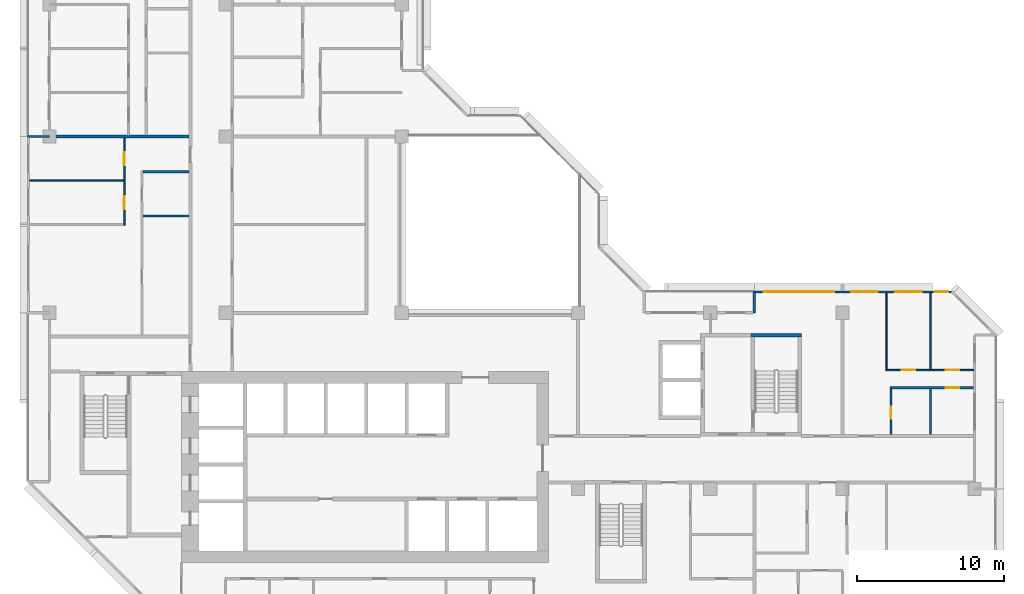
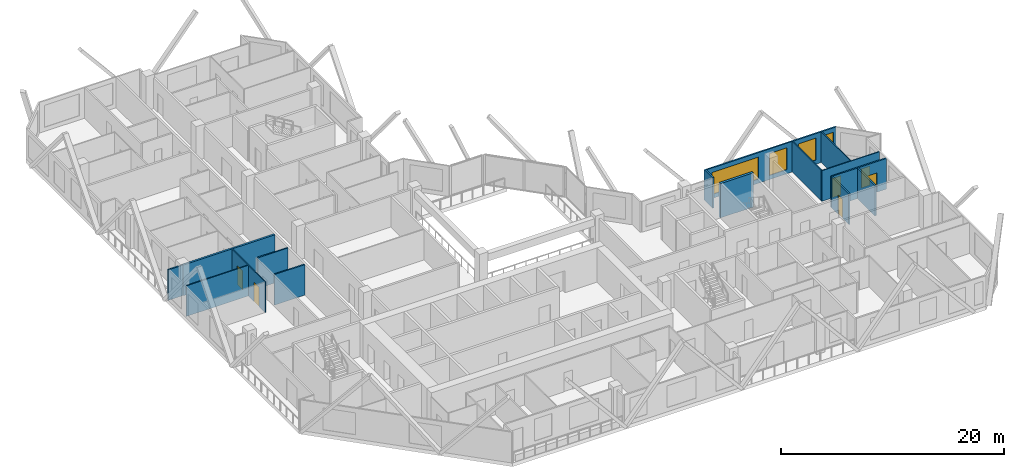
# One storey, part 8 of 14: 15 walls, 6 doors, 4 windows, 10 openings.
"""IFC4 building model written with IfcOpenShell, lengths in metres."""

from ifc_helpers import new_model, si_unit, direction, frame, frame_2d, origin, place, context, subcontext, project, spatial, rectangle, extrude, material, layer, layer_set, type_object, element, fill, save


model = new_model("IFC4")

# Units and contexts
model_context = context("Model", 3, precision=1e-05, world=origin(), true_north=direction((0.0, 1.0)))
body_context = subcontext(model_context, "Body", "Model", "MODEL_VIEW")
ifc_project = project(units=[si_unit("LENGTHUNIT", "METRE"), si_unit("AREAUNIT", "SQUARE_METRE"), si_unit("VOLUMEUNIT", "CUBIC_METRE"), si_unit("PLANEANGLEUNIT", "RADIAN"), si_unit("MASSUNIT", "GRAM", prefix="KILO")], contexts=[model_context])

# Site, building, storey
site_placement = place(None, origin())
site = spatial("IfcSite", under=ifc_project, at=site_placement, CompositionType="ELEMENT")
building_placement = place(site_placement, origin())
building = spatial("IfcBuilding", under=site, at=building_placement, Name="Chenar Terraces", CompositionType="ELEMENT")
storey_placement = place(building_placement, frame((0.0, 0.0, 164.89990234375)))
storey = spatial("IfcBuildingStorey", under=building, at=storey_placement, Name="L37", CompositionType="ELEMENT", Elevation=164.89990234375)

# Wall
ifc_material_1 = material(Name="Concrete C60/75", Category="concrete")
ifc_layer_1 = layer(ifc_material_1, 0.25)
ifc_layer_set_1 = layer_set([ifc_layer_1], Name="Concrete C60/75")
wall_type_1 = type_object("IfcWallType", Name="Core wall 250 Concrete C60/75", PredefinedType="SHEAR", material=ifc_layer_set_1)
wall_1_placement = place(storey_placement, frame((47.77490234375, 22.47509765625, 0.0), z_axis=(0.0, 0.0, 1.0), x_axis=(1.0, 0.0, 0.0)))
element("IfcWall", 1, at=wall_1_placement, inside=storey, type_object=wall_type_1, Name="Core wall ST3_N L37", PredefinedType="SHEAR", context=body_context, shape_type="SweptSolid", body=[
    extrude(rectangle(XDim=3.4501953125, YDim=0.25, at=frame_2d((1.72509765625, 0.0))), origin(), (0.0, 0.0, 1.0), 3.75),
])

# Wall, openings, windows
ifc_material_2 = material(Name="Aluminium framed glazing", Category="aluminium")
ifc_layer_2 = layer(ifc_material_2, 0.14990234375)
ifc_layer_set_2 = layer_set([ifc_layer_2], Name="Aluminium framed glazing")
wall_type_2 = type_object("IfcWallType", Name="Glazed flush facade wall 150", PredefinedType="SOLIDWALL", material=ifc_layer_set_2)
wall_2_placement = place(storey_placement, frame((61.5, 25.425048828125, 0.0), z_axis=(0.0, 0.0, 1.0), x_axis=(-1.0, 0.0, 0.0)))
wall_2 = element("IfcWall", 2, at=wall_2_placement, inside=storey, type_object=wall_type_2, Name="Glazed flush facade wall", PredefinedType="SOLIDWALL", context=body_context, shape_type="SweptSolid", body=[
    extrude(rectangle(XDim=13.425048828125, YDim=0.14990234375, at=frame_2d((6.71240234375, 0.0))), origin(), (0.0, 0.0, 1.0), 3.35009765625),
])
opening_1_placement = place(wall_2_placement, frame((0.300048828125, 0.0, 0.449951171875)))
opening_1 = element("IfcOpeningElement", 3, at=opening_1_placement, cuts=wall_2, Name="Opening W90x240", PredefinedType="OPENING", context=body_context, shape_type="SweptSolid", body=[
    extrude(rectangle(XDim=0.89990234375, YDim=2.39990234375, at=frame_2d((0.449951171875, 1.199951171875))), frame((0.0, 0.0849609375, 0.0), z_axis=(0.0, -1.0, 0.0), x_axis=(1.0, 0.0, 0.0)), (0.0, 0.0, 1.0), 0.169921875),
])
opening_2_placement = place(wall_2_placement, frame((2.10009765625, 0.0, 0.449951171875)))
opening_2 = element("IfcOpeningElement", 4, at=opening_2_placement, cuts=wall_2, Name="Opening W180x240", PredefinedType="OPENING", context=body_context, shape_type="SweptSolid", body=[
    extrude(rectangle(XDim=1.800048828125, YDim=2.39990234375, at=frame_2d((0.89990234375, 1.199951171875))), frame((0.0, 0.0849609375, 0.0), z_axis=(0.0, -1.0, 0.0), x_axis=(1.0, 0.0, 0.0)), (0.0, 0.0, 1.0), 0.169921875),
])
opening_3_placement = place(wall_2_placement, frame((5.10009765625, 0.0, 0.449951171875)))
opening_3 = element("IfcOpeningElement", 5, at=opening_3_placement, cuts=wall_2, Name="Opening W180x240", PredefinedType="OPENING", context=body_context, shape_type="SweptSolid", body=[
    extrude(rectangle(XDim=1.800048828125, YDim=2.39990234375, at=frame_2d((0.89990234375, 1.199951171875))), frame((0.0, 0.0849609375, 0.0), z_axis=(0.0, -1.0, 0.0), x_axis=(1.0, 0.0, 0.0)), (0.0, 0.0, 1.0), 0.169921875),
])
opening_4_placement = place(wall_2_placement, frame((8.0625, 0.0, 0.449951171875)))
opening_4 = element("IfcOpeningElement", 6, at=opening_4_placement, cuts=wall_2, Name="Opening W480x240", PredefinedType="OPENING", context=body_context, shape_type="SweptSolid", body=[
    extrude(rectangle(XDim=4.800048828125, YDim=2.39990234375, at=frame_2d((2.39990234375, 1.199951171875))), frame((0.0, 0.0849609375, 0.0), z_axis=(0.0, -1.0, 0.0), x_axis=(1.0, 0.0, 0.0)), (0.0, 0.0, 1.0), 0.169921875),
])
ifc_material_3 = material(Name="Low emissivity double glazing, aluminium frame", Category="aluminium")
window_type_1 = type_object("IfcWindowType", Name="Fixed light 1800 x 2400", PartitioningType="SINGLE_PANEL", PredefinedType="WINDOW", material=ifc_material_3)
window_1_placement = place(opening_2_placement, origin())
window_1 = element("IfcWindow", 7, at=window_1_placement, inside=storey, type_object=window_type_1, Name="Window", OverallHeight=2.39990234375, OverallWidth=1.800048828125, PartitioningType="SINGLE_PANEL", PredefinedType="WINDOW", context=body_context, shape_type="SweptSolid", body=[
    extrude(rectangle(XDim=1.800048828125, YDim=2.39990234375, at=frame_2d((0.89990234375, 1.199951171875))), frame((0.0, 0.030029296875, 0.0), z_axis=(0.0, -1.0, 0.0), x_axis=(1.0, 0.0, 0.0)), (0.0, 0.0, 1.0), 0.06005859375),
])
fill(opening_2, window_1)
window_2_placement = place(opening_3_placement, origin())
window_2 = element("IfcWindow", 8, at=window_2_placement, inside=storey, type_object=window_type_1, Name="Window", OverallHeight=2.39990234375, OverallWidth=1.800048828125, PartitioningType="SINGLE_PANEL", PredefinedType="WINDOW", context=body_context, shape_type="SweptSolid", body=[
    extrude(rectangle(XDim=1.800048828125, YDim=2.39990234375, at=frame_2d((0.89990234375, 1.199951171875))), frame((0.0, 0.030029296875, 0.0), z_axis=(0.0, -1.0, 0.0), x_axis=(1.0, 0.0, 0.0)), (0.0, 0.0, 1.0), 0.06005859375),
])
fill(opening_3, window_2)
ifc_material_4 = material(Name="Low emissivity double glazing, aluminium frame", Category="aluminium")
window_type_2 = type_object("IfcWindowType", Name="Fixed light 4800 x 2400", PartitioningType="SINGLE_PANEL", PredefinedType="WINDOW", material=ifc_material_4)
window_3_placement = place(opening_4_placement, origin())
window_3 = element("IfcWindow", 9, at=window_3_placement, inside=storey, type_object=window_type_2, Name="Window", OverallHeight=2.39990234375, OverallWidth=4.800048828125, PartitioningType="SINGLE_PANEL", PredefinedType="WINDOW", context=body_context, shape_type="SweptSolid", body=[
    extrude(rectangle(XDim=4.800048828125, YDim=2.39990234375, at=frame_2d((2.39990234375, 1.199951171875))), frame((0.0, 0.030029296875, 0.0), z_axis=(0.0, -1.0, 0.0), x_axis=(1.0, 0.0, 0.0)), (0.0, 0.0, 1.0), 0.06005859375),
])
fill(opening_4, window_3)
ifc_material_5 = material(Name="Low emissivity double glazing, aluminium frame", Category="aluminium")
window_type_3 = type_object("IfcWindowType", Name="Fixed light 900 x 2400", PartitioningType="SINGLE_PANEL", PredefinedType="WINDOW", material=ifc_material_5)
window_4_placement = place(opening_1_placement, origin())
window_4 = element("IfcWindow", 10, at=window_4_placement, inside=storey, type_object=window_type_3, Name="Window", OverallHeight=2.39990234375, OverallWidth=0.89990234375, PartitioningType="SINGLE_PANEL", PredefinedType="WINDOW", context=body_context, shape_type="SweptSolid", body=[
    extrude(rectangle(XDim=0.89990234375, YDim=2.39990234375, at=frame_2d((0.449951171875, 1.199951171875))), frame((0.0, 0.030029296875, 0.0), z_axis=(0.0, -1.0, 0.0), x_axis=(1.0, 0.0, 0.0)), (0.0, 0.0, 1.0), 0.06005859375),
])
fill(opening_1, window_4)

# Wall
ifc_material_6 = material(Name="Gypsum board on steel studs", Category="steel")
ifc_layer_3 = layer(ifc_material_6, 0.10009765625)
ifc_layer_set_3 = layer_set([ifc_layer_3], Name="Gypsum board on steel studs")
wall_type_3 = type_object("IfcWallType", Name="Gypsum partition 100", PredefinedType="PARTITIONING", material=ifc_layer_set_3)
wall_3_placement = place(storey_placement, frame((-1.35107421875, 33.0, 0.0), z_axis=(0.0, 0.0, 1.0), x_axis=(1.0, 0.0, 0.0)))
element("IfcWall", 11, at=wall_3_placement, inside=storey, type_object=wall_type_3, Name="Partition L37-001", PredefinedType="PARTITIONING", context=body_context, shape_type="SweptSolid", body=[
    extrude(rectangle(XDim=6.401123046875, YDim=0.10009765625, at=frame_2d((3.20068359375, 0.0))), origin(), (0.0, 0.0, 1.0), 3.35009765625),
])

# Wall, openings, doors
wall_4_placement = place(storey_placement, frame((5.10009765625, 29.949951171875, 0.0), z_axis=(0.0, 0.0, 1.0), x_axis=(0.0, 1.0, 0.0)))
wall_4 = element("IfcWall", 12, at=wall_4_placement, inside=storey, type_object=wall_type_3, Name="Partition L37-013", PredefinedType="PARTITIONING", context=body_context, shape_type="SweptSolid", body=[
    extrude(rectangle(XDim=5.949951171875, YDim=0.10009765625, at=frame_2d((2.97509765625, 0.0))), origin(), (0.0, 0.0, 1.0), 3.35009765625),
])
opening_5_placement = place(wall_4_placement, frame((1.10009765625, 0.0, 0.0)))
opening_5 = element("IfcOpeningElement", 13, at=opening_5_placement, cuts=wall_4, Name="Opening DL37-59", PredefinedType="OPENING", context=body_context, shape_type="SweptSolid", body=[
    extrude(rectangle(XDim=0.89990234375, YDim=2.10009765625, at=frame_2d((0.449951171875, 1.050048828125))), frame((0.0, 0.06005859375, 0.0), z_axis=(0.0, -1.0, 0.0), x_axis=(1.0, 0.0, 0.0)), (0.0, 0.0, 1.0), 0.1201171875),
])
opening_6_placement = place(wall_4_placement, frame((4.10009765625, 0.0, 0.0)))
opening_6 = element("IfcOpeningElement", 14, at=opening_6_placement, cuts=wall_4, Name="Opening DL37-60", PredefinedType="OPENING", context=body_context, shape_type="SweptSolid", body=[
    extrude(rectangle(XDim=0.89990234375, YDim=2.10009765625, at=frame_2d((0.449951171875, 1.050048828125))), frame((0.0, 0.06005859375, 0.0), z_axis=(0.0, -1.0, 0.0), x_axis=(1.0, 0.0, 0.0)), (0.0, 0.0, 1.0), 0.1201171875),
])
ifc_material_7 = material(Name="Veneered timber door leaf", Category="wood")
door_type_1 = type_object("IfcDoorType", Name="Door 900 x 2100", OperationType="SINGLE_SWING_LEFT", PredefinedType="DOOR", material=ifc_material_7)
door_1_placement = place(opening_5_placement, origin())
door_1 = element("IfcDoor", 15, at=door_1_placement, inside=storey, type_object=door_type_1, Name="Door DL37-59", OperationType="SINGLE_SWING_LEFT", OverallHeight=2.10009765625, OverallWidth=0.89990234375, PredefinedType="DOOR", context=body_context, shape_type="SweptSolid", body=[
    extrude(rectangle(XDim=0.89990234375, YDim=2.10009765625, at=frame_2d((0.449951171875, 1.050048828125))), frame((0.0, 0.02490234375, 0.0), z_axis=(0.0, -1.0, 0.0), x_axis=(1.0, 0.0, 0.0)), (0.0, 0.0, 1.0), 0.050048828125),
])
fill(opening_5, door_1)
door_2_placement = place(opening_6_placement, origin())
door_2 = element("IfcDoor", 16, at=door_2_placement, inside=storey, type_object=door_type_1, Name="Door DL37-60", OperationType="SINGLE_SWING_RIGHT", OverallHeight=2.10009765625, OverallWidth=0.89990234375, PredefinedType="DOOR", context=body_context, shape_type="SweptSolid", body=[
    extrude(rectangle(XDim=0.89990234375, YDim=2.10009765625, at=frame_2d((0.449951171875, 1.050048828125))), frame((0.0, 0.02490234375, 0.0), z_axis=(0.0, -1.0, 0.0), x_axis=(1.0, 0.0, 0.0)), (0.0, 0.0, 1.0), 0.050048828125),
])
fill(opening_6, door_2)

wall_5_placement = place(storey_placement, frame((56.949951171875, 20.10009765625, 0.0), z_axis=(0.0, 0.0, 1.0), x_axis=(1.0, 0.0, 0.0)))
wall_5 = element("IfcWall", 17, at=wall_5_placement, inside=storey, type_object=wall_type_3, Name="Partition L37-080", PredefinedType="PARTITIONING", context=body_context, shape_type="SweptSolid", body=[
    extrude(rectangle(XDim=5.97607421875, YDim=0.10009765625, at=frame_2d((2.988037109375, 0.0))), origin(), (0.0, 0.0, 1.0), 3.35009765625),
])
opening_7_placement = place(wall_5_placement, frame((1.10009765625, 0.0, 0.0)))
opening_7 = element("IfcOpeningElement", 18, at=opening_7_placement, cuts=wall_5, Name="Opening DL37-5", PredefinedType="OPENING", context=body_context, shape_type="SweptSolid", body=[
    extrude(rectangle(XDim=0.89990234375, YDim=2.10009765625, at=frame_2d((0.449951171875, 1.050048828125))), frame((0.0, 0.06005859375, 0.0), z_axis=(0.0, -1.0, 0.0), x_axis=(1.0, 0.0, 0.0)), (0.0, 0.0, 1.0), 0.1201171875),
])
opening_8_placement = place(wall_5_placement, frame((4.10009765625, 0.0, 0.0)))
opening_8 = element("IfcOpeningElement", 19, at=opening_8_placement, cuts=wall_5, Name="Opening DL37-6", PredefinedType="OPENING", context=body_context, shape_type="SweptSolid", body=[
    extrude(rectangle(XDim=0.89990234375, YDim=2.10009765625, at=frame_2d((0.449951171875, 1.050048828125))), frame((0.0, 0.06005859375, 0.0), z_axis=(0.0, -1.0, 0.0), x_axis=(1.0, 0.0, 0.0)), (0.0, 0.0, 1.0), 0.1201171875),
])
door_3_placement = place(opening_7_placement, origin())
door_3 = element("IfcDoor", 20, at=door_3_placement, inside=storey, type_object=door_type_1, Name="Door DL37-5", OperationType="SINGLE_SWING_LEFT", OverallHeight=2.10009765625, OverallWidth=0.89990234375, PredefinedType="DOOR", context=body_context, shape_type="SweptSolid", body=[
    extrude(rectangle(XDim=0.89990234375, YDim=2.10009765625, at=frame_2d((0.449951171875, 1.050048828125))), frame((0.0, 0.02490234375, 0.0), z_axis=(0.0, -1.0, 0.0), x_axis=(1.0, 0.0, 0.0)), (0.0, 0.0, 1.0), 0.050048828125),
])
fill(opening_7, door_3)
door_4_placement = place(opening_8_placement, origin())
door_4 = element("IfcDoor", 21, at=door_4_placement, inside=storey, type_object=door_type_1, Name="Door DL37-6", OperationType="SINGLE_SWING_LEFT", OverallHeight=2.10009765625, OverallWidth=0.89990234375, PredefinedType="DOOR", context=body_context, shape_type="SweptSolid", body=[
    extrude(rectangle(XDim=0.89990234375, YDim=2.10009765625, at=frame_2d((0.449951171875, 1.050048828125))), frame((0.0, 0.02490234375, 0.0), z_axis=(0.0, -1.0, 0.0), x_axis=(1.0, 0.0, 0.0)), (0.0, 0.0, 1.0), 0.050048828125),
])
fill(opening_8, door_4)

# Walls
wall_6_placement = place(storey_placement, frame((57.0, 20.14990234375, 0.0), z_axis=(0.0, 0.0, 1.0), x_axis=(0.0, 1.0, 0.0)))
element("IfcWall", 22, at=wall_6_placement, inside=storey, type_object=wall_type_3, Name="Partition L37-083", PredefinedType="PARTITIONING", context=body_context, shape_type="SweptSolid", body=[
    extrude(rectangle(XDim=5.2001953125, YDim=0.10009765625, at=frame_2d((2.60009765625, 0.0))), origin(), (0.0, 0.0, 1.0), 3.35009765625),
])
wall_7_placement = place(storey_placement, frame((60.0, 20.14990234375, 0.0), z_axis=(0.0, 0.0, 1.0), x_axis=(0.0, 1.0, 0.0)))
element("IfcWall", 23, at=wall_7_placement, inside=storey, type_object=wall_type_3, Name="Partition L37-089", PredefinedType="PARTITIONING", context=body_context, shape_type="SweptSolid", body=[
    extrude(rectangle(XDim=5.201171875, YDim=0.10009765625, at=frame_2d((2.6005859375, 0.0))), origin(), (0.0, 0.0, 1.0), 3.35009765625),
])
ifc_material_8 = material(Name="Terracotta cladding on insulated backing", Category="masonry")
ifc_layer_4 = layer(ifc_material_8, 0.14990234375)
ifc_layer_set_4 = layer_set([ifc_layer_4], Name="Terracotta cladding on insulated backing")
wall_type_4 = type_object("IfcWallType", Name="Loggia return wall 150", PredefinedType="SOLIDWALL", material=ifc_layer_set_4)
for number, where, z_axis, x_axis, name in (
    (24, (48.0, 25.5, 0.0), (0.0, 0.0, 1.0), (0.0, -1.0, 0.0), "Loggia return wall"),
    (25, (-1.5, 36.0, 0.0), (0.0, 0.0, 1.0), (1.0, 0.0, 0.0), "Loggia return wall"),
):
    element("IfcWall", number, at=place(storey_placement, frame(where, z_axis=z_axis, x_axis=x_axis)), inside=storey, type_object=wall_type_4, Name=name, PredefinedType="SOLIDWALL", context=body_context, shape_type="SweptSolid", body=[
        extrude(rectangle(XDim=1.5, YDim=0.14990234375, at=frame_2d((0.75, 0.0))), origin(), (0.0, 0.0, 1.0), 3.35009765625),
    ])
ifc_material_9 = material(Name="Twin gypsum board on steel studs with mineral wool", Category="steel")
ifc_layer_5 = layer(ifc_material_9, 0.199951171875)
ifc_layer_set_5 = layer_set([ifc_layer_5], Name="Twin gypsum board on steel studs with mineral wool")
wall_type_5 = type_object("IfcWallType", Name="Unit demising wall 200", PredefinedType="PARTITIONING", material=ifc_layer_set_5)
wall_8_placement = place(storey_placement, frame((0.0, 36.0, 0.0), z_axis=(0.0, 0.0, 1.0), x_axis=(1.0, 0.0, 0.0)))
element("IfcWall", 26, at=wall_8_placement, inside=storey, type_object=wall_type_5, Name="Partition L37-004", PredefinedType="PARTITIONING", context=body_context, shape_type="SweptSolid", body=[
    extrude(rectangle(XDim=9.5, YDim=0.199951171875, at=frame_2d((4.75, 0.0))), origin(), (0.0, 0.0, 1.0), 3.35009765625),
])
ifc_material_10 = material(Name="Moisture-resistant gypsum board on steel studs", Category="steel")
ifc_layer_6 = layer(ifc_material_10, 0.14990234375)
ifc_layer_set_6 = layer_set([ifc_layer_6], Name="Moisture-resistant gypsum board on steel studs")
wall_type_6 = type_object("IfcWallType", Name="Wet-room partition 150", PredefinedType="PARTITIONING", material=ifc_layer_set_6)
for number, where, z_axis, x_axis, name in (
    (27, (6.375, 30.60009765625, 0.0), (0.0, 0.0, 1.0), (1.0, 0.0, 0.0), "Partition L37-018"),
    (28, (6.375, 33.60009765625, 0.0), (0.0, 0.0, 1.0), (1.0, 0.0, 0.0), "Partition L37-019"),
):
    element("IfcWall", number, at=place(storey_placement, frame(where, z_axis=z_axis, x_axis=x_axis)), inside=storey, type_object=wall_type_6, Name=name, PredefinedType="PARTITIONING", context=body_context, shape_type="SweptSolid", body=[
        extrude(rectangle(XDim=3.125, YDim=0.14990234375, at=frame_2d((1.5625, 0.0))), origin(), (0.0, 0.0, 1.0), 3.35009765625),
    ])

# Wall, opening, door
wall_9_placement = place(storey_placement, frame((57.22509765625, 18.89990234375, 0.0), z_axis=(0.0, 0.0, 1.0), x_axis=(1.0, 0.0, 0.0)))
wall_9 = element("IfcWall", 29, at=wall_9_placement, inside=storey, type_object=wall_type_6, Name="Partition L37-085", PredefinedType="PARTITIONING", context=body_context, shape_type="SweptSolid", body=[
    extrude(rectangle(XDim=5.700927734375, YDim=0.14990234375, at=frame_2d((2.8505859375, 0.0))), origin(), (0.0, 0.0, 1.0), 3.35009765625),
])
opening_9_placement = place(wall_9_placement, frame((3.824951171875, 0.0, 0.0)))
opening_9 = element("IfcOpeningElement", 30, at=opening_9_placement, cuts=wall_9, Name="Opening DL37-7", PredefinedType="OPENING", context=body_context, shape_type="SweptSolid", body=[
    extrude(rectangle(XDim=0.89990234375, YDim=2.10009765625, at=frame_2d((0.449951171875, 1.050048828125))), frame((0.0, 0.0849609375, 0.0), z_axis=(0.0, -1.0, 0.0), x_axis=(1.0, 0.0, 0.0)), (0.0, 0.0, 1.0), 0.169921875),
])
door_5_placement = place(opening_9_placement, frame((0.89990234375, 0.0, 0.0), z_axis=(0.0, 0.0, 1.0), x_axis=(-1.0, 0.0, 0.0)))
door_5 = element("IfcDoor", 31, at=door_5_placement, inside=storey, type_object=door_type_1, Name="Door DL37-7", OperationType="SINGLE_SWING_LEFT", OverallHeight=2.10009765625, OverallWidth=0.89990234375, PredefinedType="DOOR", context=body_context, shape_type="SweptSolid", body=[
    extrude(rectangle(XDim=0.89990234375, YDim=2.10009765625, at=frame_2d((0.449951171875, 1.050048828125))), frame((0.0, 0.02490234375, 0.0), z_axis=(0.0, -1.0, 0.0), x_axis=(1.0, 0.0, 0.0)), (0.0, 0.0, 1.0), 0.050048828125),
])
fill(opening_9, door_5)

wall_10_placement = place(storey_placement, frame((57.300048828125, 15.699951171875, 0.0), z_axis=(0.0, 0.0, 1.0), x_axis=(0.0, 1.0, 0.0)))
wall_10 = element("IfcWall", 32, at=wall_10_placement, inside=storey, type_object=wall_type_6, Name="Partition L37-086", PredefinedType="PARTITIONING", context=body_context, shape_type="SweptSolid", body=[
    extrude(rectangle(XDim=3.125, YDim=0.14990234375, at=frame_2d((1.5625, 0.0))), origin(), (0.0, 0.0, 1.0), 3.35009765625),
])
opening_10_placement = place(wall_10_placement, frame((1.10009765625, 0.0, 0.0)))
opening_10 = element("IfcOpeningElement", 33, at=opening_10_placement, cuts=wall_10, Name="Opening DL37-4", PredefinedType="OPENING", context=body_context, shape_type="SweptSolid", body=[
    extrude(rectangle(XDim=0.800048828125, YDim=2.10009765625, at=frame_2d((0.39990234375, 1.050048828125))), frame((0.0, 0.0849609375, 0.0), z_axis=(0.0, -1.0, 0.0), x_axis=(1.0, 0.0, 0.0)), (0.0, 0.0, 1.0), 0.169921875),
])
ifc_material_11 = material(Name="Veneered timber door leaf", Category="wood")
door_type_2 = type_object("IfcDoorType", Name="Door 800 x 2100", OperationType="SINGLE_SWING_LEFT", PredefinedType="DOOR", material=ifc_material_11)
door_6_placement = place(opening_10_placement, frame((0.800048828125, 0.0, 0.0), z_axis=(0.0, 0.0, 1.0), x_axis=(-1.0, 0.0, 0.0)))
door_6 = element("IfcDoor", 34, at=door_6_placement, inside=storey, type_object=door_type_2, Name="Door DL37-4", OperationType="SINGLE_SWING_RIGHT", OverallHeight=2.10009765625, OverallWidth=0.800048828125, PredefinedType="DOOR", context=body_context, shape_type="SweptSolid", body=[
    extrude(rectangle(XDim=0.800048828125, YDim=2.10009765625, at=frame_2d((0.39990234375, 1.050048828125))), frame((0.0, 0.02490234375, 0.0), z_axis=(0.0, -1.0, 0.0), x_axis=(1.0, 0.0, 0.0)), (0.0, 0.0, 1.0), 0.050048828125),
])
fill(opening_10, door_6)

# Wall
wall_11_placement = place(storey_placement, frame((60.0, 15.699951171875, 0.0), z_axis=(0.0, 0.0, 1.0), x_axis=(0.0, 1.0, 0.0)))
element("IfcWall", 35, at=wall_11_placement, inside=storey, type_object=wall_type_6, Name="Partition L37-088", PredefinedType="PARTITIONING", context=body_context, shape_type="SweptSolid", body=[
    extrude(rectangle(XDim=3.125, YDim=0.14990234375, at=frame_2d((1.5625, 0.0))), origin(), (0.0, 0.0, 1.0), 3.35009765625),
])

save(model, "model.ifc")
